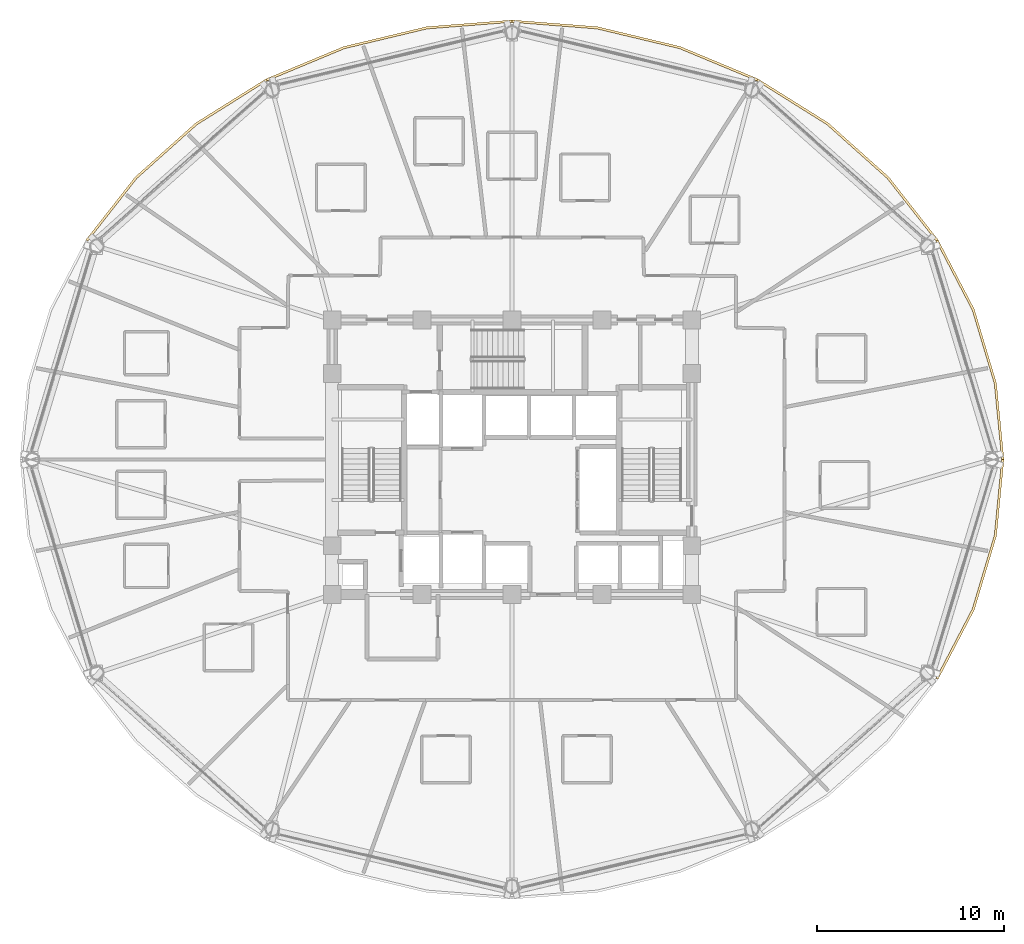
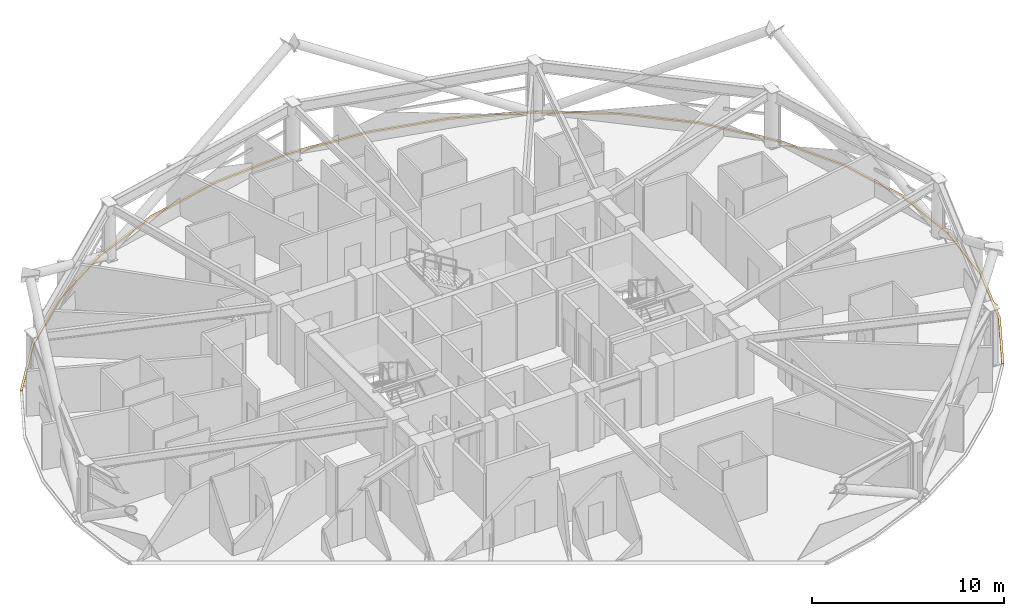
# One storey, part 32 of 32: 6 coverings.
"""IFC4 building model written with IfcOpenShell, lengths in metres."""

import ifcopenshell
import ifcopenshell.guid

model = None  # the IFC model being written
_history = None  # IfcOwnerHistory: only IFC2X3 demands one
_inside = {}  # id of a spatial element -> (the spatial element, [elements in it])
_under = {}  # id of a project, library or spatial element -> (it, [spatial elements below it])
_declared = {}  # id of a project -> (the project, [libraries it declares])
_typed = {}  # id of a type object -> (the type object, [elements of that type])
_made_of = {}  # id of a material, layer set ... -> (it, [elements and type objects made of it])


def new_model(schema):
    """Start an empty IFC model of exactly this schema.

    Asked for "IFC4X3", IfcOpenShell would pick the latest addendum, in which some entities
    have other attributes; the version numbers below select the first issue.
    IFC2X3 requires an IfcOwnerHistory on every rooted entity: one is made here for all.
    """
    global model, _history
    if schema == "IFC4X3":
        model = ifcopenshell.file(schema_version=(4, 3, 0, 0))
    else:
        model = ifcopenshell.file(schema=schema)
    _inside.clear()
    _under.clear()
    _declared.clear()
    _typed.clear()
    _made_of.clear()
    _history = None
    if model.schema == "IFC2X3":
        org = make("IfcOrganization", Name="unknown")
        user = make(
            "IfcPersonAndOrganization",
            ThePerson=make("IfcPerson", FamilyName="unknown"),
            TheOrganization=org,
        )
        app = make(
            "IfcApplication",
            ApplicationDeveloper=org,
            Version="unknown",
            ApplicationFullName="unknown",
            ApplicationIdentifier="unknown",
        )
        _history = make(
            "IfcOwnerHistory",
            OwningUser=user,
            OwningApplication=app,
            ChangeAction="ADDED",
            CreationDate=0,
        )
    return model


def make(cls, **values):
    """One entity of the class cls with the attributes given. An attribute that is None is left unset."""
    return model.create_entity(
        cls, **{name: value for name, value in values.items() if value is not None}
    )


def rooted(cls, **values):
    """An entity with a GlobalId (a new one), such as an element, a storey or a relation."""
    return make(cls, GlobalId=ifcopenshell.guid.new(), OwnerHistory=_history, **values)


def si_unit(unit_type, name, prefix=None):
    """IfcSIUnit, for example si_unit("LENGTHUNIT", "METRE", prefix="MILLI")."""
    return make("IfcSIUnit", UnitType=unit_type, Prefix=prefix, Name=name)


def assignment(units):
    """IfcUnitAssignment: the units of a project."""
    return None if units is None else make("IfcUnitAssignment", Units=units)


def point(xyz):
    """IfcCartesianPoint."""
    return None if xyz is None else make("IfcCartesianPoint", Coordinates=xyz)


def direction(xyz):
    """IfcDirection."""
    return None if xyz is None else make("IfcDirection", DirectionRatios=xyz)


def frame(location, z_axis=None, x_axis=None):
    """IfcAxis2Placement3D, a coordinate frame: its origin and axes. An axis left out is left unset."""
    return make(
        "IfcAxis2Placement3D",
        Location=point(location),
        Axis=direction(z_axis),
        RefDirection=direction(x_axis),
    )


def origin():
    """The frame at (0, 0, 0) with its axes left unset."""
    return frame((0.0, 0.0, 0.0))


def place(relative_to, where):
    """IfcLocalPlacement: puts the frame where relative to a parent placement (None: the world)."""
    return make(
        "IfcLocalPlacement", PlacementRelTo=relative_to, RelativePlacement=where
    )


def context(
    kind, dimensions, precision=None, world=None, true_north=None, identifier=None
):
    """IfcGeometricRepresentationContext, for example the 3D "Model" context."""
    return make(
        "IfcGeometricRepresentationContext",
        ContextIdentifier=identifier,
        ContextType=kind,
        CoordinateSpaceDimension=dimensions,
        Precision=precision,
        WorldCoordinateSystem=world,
        TrueNorth=true_north,
    )


def subcontext(parent, identifier, kind, view, scale=None):
    """IfcGeometricRepresentationSubContext, for example "Body" below "Model"."""
    return make(
        "IfcGeometricRepresentationSubContext",
        ContextIdentifier=identifier,
        ContextType=kind,
        ParentContext=parent,
        TargetScale=scale,
        TargetView=view,
    )


def project(units=None, contexts=None):
    """IfcProject with its units and contexts."""
    return rooted(
        "IfcProject",
        Name="project",
        RepresentationContexts=contexts,
        UnitsInContext=assignment(units),
    )


def spatial(cls, under=None, at=None, **own):
    """A site, building, storey or space (cls), placed at a placement, below another one or the project."""
    s = rooted(cls, ObjectPlacement=at, **own)
    if under is not None:
        _under.setdefault(under.id(), (under, []))[1].append(s)
    return s


def polyline(points):
    """IfcPolyline through the points."""
    return make("IfcPolyline", Points=[point(p) for p in points])


def outline(outer, holes=None, kind="AREA"):
    """IfcArbitraryClosedProfileDef: a profile drawn as a closed curve; with holes, ...WithVoids."""
    if holes is None:
        return make("IfcArbitraryClosedProfileDef", ProfileType=kind, OuterCurve=outer)
    return make(
        "IfcArbitraryProfileDefWithVoids",
        ProfileType=kind,
        OuterCurve=outer,
        InnerCurves=holes,
    )


def extrude(swept, where, along, depth):
    """IfcExtrudedAreaSolid: the profile swept, set in the frame where, extruded along a direction by depth."""
    return make(
        "IfcExtrudedAreaSolid",
        SweptArea=swept,
        Position=where,
        ExtrudedDirection=direction(along),
        Depth=depth,
    )


def shape(context_of_items, identifier, shape_type, items):
    """IfcShapeRepresentation: the items that make up one representation, for example the "Body"."""
    return make(
        "IfcShapeRepresentation",
        ContextOfItems=context_of_items,
        RepresentationIdentifier=identifier,
        RepresentationType=shape_type,
        Items=items,
    )


def material(Name=None, Category=None):
    """IfcMaterial."""
    return make("IfcMaterial", Name=Name, Category=Category)


def layer(
    of_material, thickness, ventilated=None, Name=None, Category=None, Priority=None
):
    """IfcMaterialLayer: one layer of a wall or slab, of a material (None: an air gap)."""
    return make(
        "IfcMaterialLayer",
        Material=of_material,
        LayerThickness=thickness,
        IsVentilated=ventilated,
        Name=Name,
        Category=Category,
        Priority=Priority,
    )


def layer_set(layers, Name=None):
    """IfcMaterialLayerSet."""
    return make("IfcMaterialLayerSet", MaterialLayers=layers, LayerSetName=Name)


def made_of(thing, what):
    """Note that an element or type object is made of a material, layer set ...; save() writes the relation."""
    if what is not None:
        _made_of.setdefault(what.id(), (what, []))[1].append(thing)
    return thing


def type_object(cls, material=None, **own):
    """A type object (cls), such as IfcWallType, which elements share."""
    return made_of(rooted(cls, **own), material)


def element(
    cls,
    number,
    at=None,
    inside=None,
    cuts=None,
    type_object=None,
    material=None,
    context=None,
    identifier="Body",
    shape_type=None,
    held_by="IfcProductDefinitionShape",
    body=None,
    shapes=None,
    **own,
):
    """One element of the class cls, such as IfcWall. Its Tag is "e" and its number.

    at: its placement. inside: the storey or other place that contains it. cuts: it is an
    opening in that element (IfcRelVoidsElement). A single representation is given by context,
    identifier, shape_type and body (its items); several are given by shapes. held_by: the class
    of the entity that holds the representations. save() writes the other relations.
    """
    e = rooted(cls, Tag="e%d" % number, ObjectPlacement=at, **own)
    if body is not None:
        shapes = [shape(context, identifier, shape_type, body)]
    if shapes is not None:
        e.Representation = make(held_by, Representations=shapes)
    if inside is not None:
        _inside.setdefault(inside.id(), (inside, []))[1].append(e)
    if cuts is not None:
        rooted(
            "IfcRelVoidsElement", RelatingBuildingElement=cuts, RelatedOpeningElement=e
        )
    if type_object is not None:
        _typed.setdefault(type_object.id(), (type_object, []))[1].append(e)
    return made_of(e, material)


def aggregate(whole, parts):
    """IfcRelAggregates: a whole, such as a stair, and the parts it consists of."""
    return rooted("IfcRelAggregates", RelatingObject=whole, RelatedObjects=parts)


def save(model, path):
    """Write the relations noted so far, then the file.

    IfcRelAggregates (storeys below a building ...), IfcRelContainedInSpatialStructure (elements
    in a storey), IfcRelDefinesByType, IfcRelAssociatesMaterial and IfcRelDeclares: one each for
    every whole, place, type object, material and project.
    """
    for whole, parts in _under.values():
        aggregate(whole, parts)
    for where, things in _inside.values():
        rooted(
            "IfcRelContainedInSpatialStructure",
            RelatedElements=things,
            RelatingStructure=where,
        )
    for kind, things in _typed.values():
        rooted("IfcRelDefinesByType", RelatedObjects=things, RelatingType=kind)
    for what, things in _made_of.values():
        rooted("IfcRelAssociatesMaterial", RelatedObjects=things, RelatingMaterial=what)
    for by, libraries in _declared.values():
        rooted("IfcRelDeclares", RelatingContext=by, RelatedDefinitions=libraries)
    model.write(path)


model = new_model("IFC4")

# Units and contexts
model_context = context("Model", 3, precision=1e-05, world=origin(), true_north=direction((0.0, 1.0)))
body_context = subcontext(model_context, "Body", "Model", "MODEL_VIEW")
ifc_project = project(units=[si_unit("LENGTHUNIT", "METRE"), si_unit("AREAUNIT", "SQUARE_METRE"), si_unit("VOLUMEUNIT", "CUBIC_METRE"), si_unit("PLANEANGLEUNIT", "RADIAN"), si_unit("MASSUNIT", "GRAM", prefix="KILO")], contexts=[model_context])

# Site, building, storey
site_placement = place(None, origin())
site = spatial("IfcSite", under=ifc_project, at=site_placement, CompositionType="ELEMENT")
building_placement = place(site_placement, origin())
building = spatial("IfcBuilding", under=site, at=building_placement, Name="Vantalir Tower", CompositionType="ELEMENT")
storey_placement = place(building_placement, frame((0.0, 0.0, 104.699951171875)))
storey = spatial("IfcBuildingStorey", under=building, at=storey_placement, Name="L25", CompositionType="ELEMENT", Elevation=104.699951171875)

# Coverings
ifc_material = material(Name="Anodised champagne aluminium sill fascia", Category="aluminium")
ifc_layer = layer(ifc_material, 0.125)
ifc_layer_set = layer_set([ifc_layer], Name="Anodised champagne aluminium sill fascia")
covering_type = type_object("IfcCoveringType", Name="COV-SLAB-FASCIA-125", PredefinedType="CLADDING", material=ifc_layer_set)
covering_1_placement = place(storey_placement, frame((0.0, 0.0, -0.179931640625)))
element("IfcCovering", 1, at=covering_1_placement, inside=storey, type_object=covering_type, Name="L25 Perimeter Slab-Edge Sill Fascia 01", PredefinedType="CLADDING", context=body_context, shape_type="SweptSolid", body=[
    extrude(outline(polyline([(57.762939453125, 25.0), (57.364013671875, 29.073974609375), (56.178955078125, 33.02490234375), (54.243896484375, 36.73095703125), (54.135986328125, 36.6689453125), (56.06201171875, 32.98193359375), (57.240966796875, 29.052978515625), (57.637939453125, 25.0), (57.762939453125, 25.0)])), origin(), (0.0, 0.0, 1.0), 0.10498046875),
])
covering_2_placement = place(storey_placement, frame((0.0, 0.0, -0.179931640625)))
element("IfcCovering", 2, at=covering_2_placement, inside=storey, type_object=covering_type, Name="L25 Perimeter Slab-Edge Sill Fascia 02", PredefinedType="CLADDING", context=body_context, shape_type="SweptSolid", body=[
    extrude(outline(polyline([(54.243896484375, 36.73095703125), (51.618896484375, 40.08203125), (48.382080078125, 42.97412109375), (44.632080078125, 45.320068359375), (44.569091796875, 45.2109375), (48.301025390625, 42.8779296875), (51.52294921875, 40.0009765625), (54.135986328125, 36.6689453125), (54.243896484375, 36.73095703125)])), origin(), (0.0, 0.0, 1.0), 0.10498046875),
])
covering_3_placement = place(storey_placement, frame((0.0, 0.0, -0.179931640625)))
element("IfcCovering", 3, at=covering_3_placement, inside=storey, type_object=covering_type, Name="L25 Perimeter Slab-Edge Sill Fascia 03", PredefinedType="CLADDING", context=body_context, shape_type="SweptSolid", body=[
    extrude(outline(polyline([(44.632080078125, 45.320068359375), (40.48193359375, 47.048095703125), (36.06103515625, 48.10693359375), (31.5, 48.462890625), (31.5, 48.337890625), (36.0390625, 47.98291015625), (40.43994140625, 46.930908203125), (44.569091796875, 45.2109375), (44.632080078125, 45.320068359375)])), origin(), (0.0, 0.0, 1.0), 0.10498046875),
])
covering_4_placement = place(storey_placement, frame((0.0, 0.0, -0.179931640625)))
element("IfcCovering", 4, at=covering_4_placement, inside=storey, type_object=covering_type, Name="L25 Perimeter Slab-Edge Sill Fascia 04", PredefinedType="CLADDING", context=body_context, shape_type="SweptSolid", body=[
    extrude(outline(polyline([(31.5, 48.462890625), (26.93896484375, 48.10693359375), (22.51806640625, 47.048095703125), (18.368896484375, 45.320068359375), (18.430908203125, 45.2109375), (22.56005859375, 46.930908203125), (26.9609375, 47.98291015625), (31.5, 48.337890625), (31.5, 48.462890625)])), origin(), (0.0, 0.0, 1.0), 0.10498046875),
])
covering_5_placement = place(storey_placement, frame((0.0, 0.0, -0.179931640625)))
element("IfcCovering", 5, at=covering_5_placement, inside=storey, type_object=covering_type, Name="L25 Perimeter Slab-Edge Sill Fascia 05", PredefinedType="CLADDING", context=body_context, shape_type="SweptSolid", body=[
    extrude(outline(polyline([(18.368896484375, 45.320068359375), (14.617919921875, 42.97412109375), (11.381103515625, 40.08203125), (8.756103515625, 36.73095703125), (8.864013671875, 36.6689453125), (11.47705078125, 40.0009765625), (14.698974609375, 42.8779296875), (18.430908203125, 45.2109375), (18.368896484375, 45.320068359375)])), origin(), (0.0, 0.0, 1.0), 0.10498046875),
])
covering_6_placement = place(storey_placement, frame((0.0, 0.0, -0.179931640625)))
element("IfcCovering", 6, at=covering_6_placement, inside=storey, type_object=covering_type, Name="L25 Perimeter Slab-Edge Sill Fascia 12", PredefinedType="CLADDING", context=body_context, shape_type="SweptSolid", body=[
    extrude(outline(polyline([(54.243896484375, 13.26806640625), (56.178955078125, 16.97509765625), (57.364013671875, 20.926025390625), (57.762939453125, 25.0), (57.637939453125, 25.0), (57.240966796875, 20.947021484375), (56.06201171875, 17.01806640625), (54.135986328125, 13.3310546875), (54.243896484375, 13.26806640625)])), origin(), (0.0, 0.0, 1.0), 0.10498046875),
])

save(model, "model.ifc")
